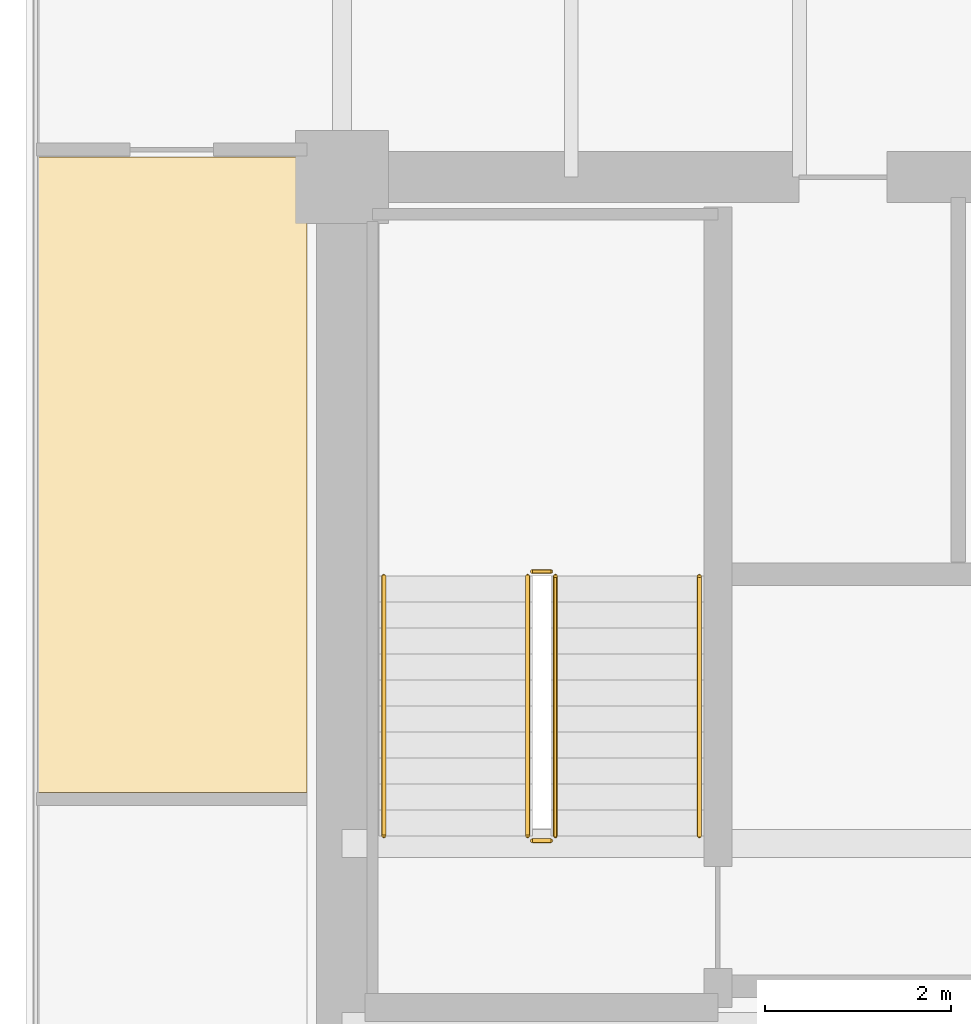
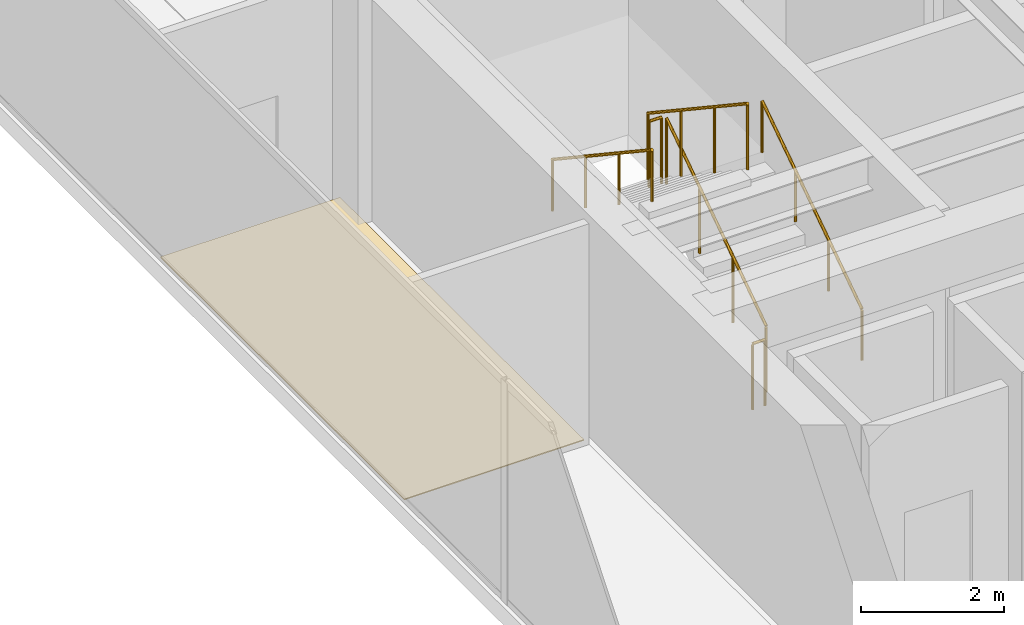
# One storey, part 33 of 35: 6 railings, 1 covering.
"""IFC4 building model written with IfcOpenShell, lengths in metres."""

import ifcopenshell
import ifcopenshell.guid

model = None  # the IFC model being written
_history = None  # IfcOwnerHistory: only IFC2X3 demands one
_inside = {}  # id of a spatial element -> (the spatial element, [elements in it])
_under = {}  # id of a project, library or spatial element -> (it, [spatial elements below it])
_declared = {}  # id of a project -> (the project, [libraries it declares])
_typed = {}  # id of a type object -> (the type object, [elements of that type])
_made_of = {}  # id of a material, layer set ... -> (it, [elements and type objects made of it])


def new_model(schema):
    """Start an empty IFC model of exactly this schema.

    Asked for "IFC4X3", IfcOpenShell would pick the latest addendum, in which some entities
    have other attributes; the version numbers below select the first issue.
    IFC2X3 requires an IfcOwnerHistory on every rooted entity: one is made here for all.
    """
    global model, _history
    if schema == "IFC4X3":
        model = ifcopenshell.file(schema_version=(4, 3, 0, 0))
    else:
        model = ifcopenshell.file(schema=schema)
    _inside.clear()
    _under.clear()
    _declared.clear()
    _typed.clear()
    _made_of.clear()
    _history = None
    if model.schema == "IFC2X3":
        org = make("IfcOrganization", Name="unknown")
        user = make(
            "IfcPersonAndOrganization",
            ThePerson=make("IfcPerson", FamilyName="unknown"),
            TheOrganization=org,
        )
        app = make(
            "IfcApplication",
            ApplicationDeveloper=org,
            Version="unknown",
            ApplicationFullName="unknown",
            ApplicationIdentifier="unknown",
        )
        _history = make(
            "IfcOwnerHistory",
            OwningUser=user,
            OwningApplication=app,
            ChangeAction="ADDED",
            CreationDate=0,
        )
    return model


def make(cls, **values):
    """One entity of the class cls with the attributes given. An attribute that is None is left unset."""
    return model.create_entity(
        cls, **{name: value for name, value in values.items() if value is not None}
    )


def rooted(cls, **values):
    """An entity with a GlobalId (a new one), such as an element, a storey or a relation."""
    return make(cls, GlobalId=ifcopenshell.guid.new(), OwnerHistory=_history, **values)


def si_unit(unit_type, name, prefix=None):
    """IfcSIUnit, for example si_unit("LENGTHUNIT", "METRE", prefix="MILLI")."""
    return make("IfcSIUnit", UnitType=unit_type, Prefix=prefix, Name=name)


def assignment(units):
    """IfcUnitAssignment: the units of a project."""
    return None if units is None else make("IfcUnitAssignment", Units=units)


def point(xyz):
    """IfcCartesianPoint."""
    return None if xyz is None else make("IfcCartesianPoint", Coordinates=xyz)


def direction(xyz):
    """IfcDirection."""
    return None if xyz is None else make("IfcDirection", DirectionRatios=xyz)


def frame(location, z_axis=None, x_axis=None):
    """IfcAxis2Placement3D, a coordinate frame: its origin and axes. An axis left out is left unset."""
    return make(
        "IfcAxis2Placement3D",
        Location=point(location),
        Axis=direction(z_axis),
        RefDirection=direction(x_axis),
    )


def frame_2d(location, x_axis=None):
    """IfcAxis2Placement2D, a coordinate frame in the plane: its origin and x axis."""
    return make(
        "IfcAxis2Placement2D", Location=point(location), RefDirection=direction(x_axis)
    )


def origin():
    """The frame at (0, 0, 0) with its axes left unset."""
    return frame((0.0, 0.0, 0.0))


def origin_2d():
    """The frame at (0, 0) in the plane with its x axis left unset."""
    return frame_2d((0.0, 0.0))


def place(relative_to, where):
    """IfcLocalPlacement: puts the frame where relative to a parent placement (None: the world)."""
    return make(
        "IfcLocalPlacement", PlacementRelTo=relative_to, RelativePlacement=where
    )


def context(
    kind, dimensions, precision=None, world=None, true_north=None, identifier=None
):
    """IfcGeometricRepresentationContext, for example the 3D "Model" context."""
    return make(
        "IfcGeometricRepresentationContext",
        ContextIdentifier=identifier,
        ContextType=kind,
        CoordinateSpaceDimension=dimensions,
        Precision=precision,
        WorldCoordinateSystem=world,
        TrueNorth=true_north,
    )


def subcontext(parent, identifier, kind, view, scale=None):
    """IfcGeometricRepresentationSubContext, for example "Body" below "Model"."""
    return make(
        "IfcGeometricRepresentationSubContext",
        ContextIdentifier=identifier,
        ContextType=kind,
        ParentContext=parent,
        TargetScale=scale,
        TargetView=view,
    )


def project(units=None, contexts=None):
    """IfcProject with its units and contexts."""
    return rooted(
        "IfcProject",
        Name="project",
        RepresentationContexts=contexts,
        UnitsInContext=assignment(units),
    )


def spatial(cls, under=None, at=None, **own):
    """A site, building, storey or space (cls), placed at a placement, below another one or the project."""
    s = rooted(cls, ObjectPlacement=at, **own)
    if under is not None:
        _under.setdefault(under.id(), (under, []))[1].append(s)
    return s


def polyline(points):
    """IfcPolyline through the points."""
    return make("IfcPolyline", Points=[point(p) for p in points])


def profile(cls, at=None, kind="AREA", **sizes):
    """A parametric profile (cls). Its sizes go by their IFC names, for example OverallWidth=200.0."""
    return make(cls, ProfileType=kind, Position=at, **sizes)


def circle(**sizes):
    """IfcCircleProfileDef."""
    return profile("IfcCircleProfileDef", **sizes)


def outline(outer, holes=None, kind="AREA"):
    """IfcArbitraryClosedProfileDef: a profile drawn as a closed curve; with holes, ...WithVoids."""
    if holes is None:
        return make("IfcArbitraryClosedProfileDef", ProfileType=kind, OuterCurve=outer)
    return make(
        "IfcArbitraryProfileDefWithVoids",
        ProfileType=kind,
        OuterCurve=outer,
        InnerCurves=holes,
    )


def extrude(swept, where, along, depth):
    """IfcExtrudedAreaSolid: the profile swept, set in the frame where, extruded along a direction by depth."""
    return make(
        "IfcExtrudedAreaSolid",
        SweptArea=swept,
        Position=where,
        ExtrudedDirection=direction(along),
        Depth=depth,
    )


def shape(context_of_items, identifier, shape_type, items):
    """IfcShapeRepresentation: the items that make up one representation, for example the "Body"."""
    return make(
        "IfcShapeRepresentation",
        ContextOfItems=context_of_items,
        RepresentationIdentifier=identifier,
        RepresentationType=shape_type,
        Items=items,
    )


def source(mapping_origin, context_of_items, identifier, shape_type, items):
    """IfcRepresentationMap: a shape defined once, which mapped items show again and again."""
    return make(
        "IfcRepresentationMap",
        MappingOrigin=mapping_origin,
        MappedRepresentation=shape(context_of_items, identifier, shape_type, items),
    )


def transform(
    local_origin,
    x_axis=None,
    y_axis=None,
    z_axis=None,
    scale=None,
    scale2=None,
    scale3=None,
    uniform=True,
):
    """IfcCartesianTransformationOperator3D, or its non-uniform kind. x_axis, y_axis, z_axis: its Axis1, 2, 3."""
    if uniform:
        return make(
            "IfcCartesianTransformationOperator3D",
            Axis1=direction(x_axis),
            Axis2=direction(y_axis),
            LocalOrigin=point(local_origin),
            Scale=scale,
            Axis3=direction(z_axis),
        )
    return make(
        "IfcCartesianTransformationOperator3DnonUniform",
        Axis1=direction(x_axis),
        Axis2=direction(y_axis),
        LocalOrigin=point(local_origin),
        Scale=scale,
        Axis3=direction(z_axis),
        Scale2=scale2,
        Scale3=scale3,
    )


def mapped(mapping_source, mapping_target):
    """IfcMappedItem: shows the shape of a source again, moved by a transform."""
    return make(
        "IfcMappedItem", MappingSource=mapping_source, MappingTarget=mapping_target
    )


def material(Name=None, Category=None):
    """IfcMaterial."""
    return make("IfcMaterial", Name=Name, Category=Category)


def layer(
    of_material, thickness, ventilated=None, Name=None, Category=None, Priority=None
):
    """IfcMaterialLayer: one layer of a wall or slab, of a material (None: an air gap)."""
    return make(
        "IfcMaterialLayer",
        Material=of_material,
        LayerThickness=thickness,
        IsVentilated=ventilated,
        Name=Name,
        Category=Category,
        Priority=Priority,
    )


def layer_set(layers, Name=None):
    """IfcMaterialLayerSet."""
    return make("IfcMaterialLayerSet", MaterialLayers=layers, LayerSetName=Name)


def made_of(thing, what):
    """Note that an element or type object is made of a material, layer set ...; save() writes the relation."""
    if what is not None:
        _made_of.setdefault(what.id(), (what, []))[1].append(thing)
    return thing


def type_object(cls, material=None, **own):
    """A type object (cls), such as IfcWallType, which elements share."""
    return made_of(rooted(cls, **own), material)


def type_shapes(of_type, sources):
    """Give a type object the sources (RepresentationMaps) that its elements show as mapped items."""
    of_type.RepresentationMaps = sources


def element(
    cls,
    number,
    at=None,
    inside=None,
    cuts=None,
    type_object=None,
    material=None,
    context=None,
    identifier="Body",
    shape_type=None,
    held_by="IfcProductDefinitionShape",
    body=None,
    shapes=None,
    **own,
):
    """One element of the class cls, such as IfcWall. Its Tag is "e" and its number.

    at: its placement. inside: the storey or other place that contains it. cuts: it is an
    opening in that element (IfcRelVoidsElement). A single representation is given by context,
    identifier, shape_type and body (its items); several are given by shapes. held_by: the class
    of the entity that holds the representations. save() writes the other relations.
    """
    e = rooted(cls, Tag="e%d" % number, ObjectPlacement=at, **own)
    if body is not None:
        shapes = [shape(context, identifier, shape_type, body)]
    if shapes is not None:
        e.Representation = make(held_by, Representations=shapes)
    if inside is not None:
        _inside.setdefault(inside.id(), (inside, []))[1].append(e)
    if cuts is not None:
        rooted(
            "IfcRelVoidsElement", RelatingBuildingElement=cuts, RelatedOpeningElement=e
        )
    if type_object is not None:
        _typed.setdefault(type_object.id(), (type_object, []))[1].append(e)
    return made_of(e, material)


def aggregate(whole, parts):
    """IfcRelAggregates: a whole, such as a stair, and the parts it consists of."""
    return rooted("IfcRelAggregates", RelatingObject=whole, RelatedObjects=parts)


def save(model, path):
    """Write the relations noted so far, then the file.

    IfcRelAggregates (storeys below a building ...), IfcRelContainedInSpatialStructure (elements
    in a storey), IfcRelDefinesByType, IfcRelAssociatesMaterial and IfcRelDeclares: one each for
    every whole, place, type object, material and project.
    """
    for whole, parts in _under.values():
        aggregate(whole, parts)
    for where, things in _inside.values():
        rooted(
            "IfcRelContainedInSpatialStructure",
            RelatedElements=things,
            RelatingStructure=where,
        )
    for kind, things in _typed.values():
        rooted("IfcRelDefinesByType", RelatedObjects=things, RelatingType=kind)
    for what, things in _made_of.values():
        rooted("IfcRelAssociatesMaterial", RelatedObjects=things, RelatingMaterial=what)
    for by, libraries in _declared.values():
        rooted("IfcRelDeclares", RelatingContext=by, RelatedDefinitions=libraries)
    model.write(path)


model = new_model("IFC4")

# Units and contexts
model_context = context("Model", 3, precision=1e-05, world=origin(), true_north=direction((0.0, 1.0)))
body_context = subcontext(model_context, "Body", "Model", "MODEL_VIEW")
ifc_project = project(units=[si_unit("LENGTHUNIT", "METRE"), si_unit("AREAUNIT", "SQUARE_METRE"), si_unit("VOLUMEUNIT", "CUBIC_METRE"), si_unit("PLANEANGLEUNIT", "RADIAN"), si_unit("MASSUNIT", "GRAM", prefix="KILO")], contexts=[model_context])

# Site, building, storey
site_placement = place(None, origin())
site = spatial("IfcSite", under=ifc_project, at=site_placement, CompositionType="ELEMENT")
building_placement = place(site_placement, origin())
building = spatial("IfcBuilding", under=site, at=building_placement, Name="Haelvirn Gate Laboratories", CompositionType="ELEMENT")
storey_placement = place(building_placement, frame((0.0, 0.0, 226.0)))
storey = spatial("IfcBuildingStorey", under=building, at=storey_placement, Name="L54", CompositionType="ELEMENT", Elevation=226.0)

# Covering
ifc_material_1 = material(Name="Seamless chemical-resistant epoxy laboratory flooring")
ifc_layer = layer(ifc_material_1, 0.01806640625, Name="COV-FLR-RESIN")
ifc_layer_set = layer_set([ifc_layer], Name="Seamless chemical-resistant epoxy laboratory flooring")
covering_type = type_object("IfcCoveringType", Name="COV-FLR-RESIN", PredefinedType="FLOORING", material=ifc_layer_set)
covering_placement = place(storey_placement, origin())
element("IfcCovering", 1, at=covering_placement, inside=storey, type_object=covering_type, Name="L54 Seamless Laboratory Flooring FLR-SP-L54-WZ3-N", PredefinedType="FLOORING", context=body_context, shape_type="SweptSolid", body=[
    extrude(outline(polyline([(4.110107421875, 34.014892578125), (7.02001953125, 34.014892578125), (7.02001953125, 27.169921875), (4.110107421875, 27.169921875), (4.110107421875, 34.014892578125)])), origin(), (0.0, 0.0, 1.0), 0.01806640625),
])

# Railings
ifc_material_2 = material(Name="Galvanised steel SM355 & stainless top rail", Category="steel")
railing_type_1 = type_object("IfcRailingType", Name="RL-GUARD-1150", PredefinedType="GUARDRAIL", material=ifc_material_2)
shared_shape_1 = source(origin(), body_context, "Body", "SweptSolid", [
    extrude(circle(Radius=0.02392578125, at=origin_2d()), frame((0.0, 0.0, 1.1259765625), z_axis=(-1.0, 0.0, 0.0), x_axis=(0.0, -1.0, 0.0)), (0.0, 0.0, 1.0), 0.199951171875),
    extrude(circle(Radius=0.02099609375, at=origin_2d()), origin(), (0.0, 0.0, 1.0), 1.101806640625),
    extrude(circle(Radius=0.02099609375, at=origin_2d()), frame((-0.199951171875, 0.0, 0.0)), (0.0, 0.0, 1.0), 1.101806640625),
])
for number, where, name in (
    (2, (9.64990234375, 29.550048828125, 2.050048828125), "L54 ST1 stair guard 2"),
    (3, (9.64990234375, 26.64990234375, 0.0), "L54 ST1 stair guard 4"),
):
    element("IfcRailing", number, at=place(storey_placement, frame(where)), inside=storey, type_object=railing_type_1, Name=name, PredefinedType="GUARDRAIL", context=body_context, shape_type="MappedRepresentation", body=[
        mapped(shared_shape_1, transform((0.0, 0.0, 0.0), scale=1.0)),
    ])
shared_shape_2 = source(origin(), body_context, "Body", "SweptSolid", [
    extrude(circle(Radius=0.02392578125, at=origin_2d()), frame((0.0, 0.0, 1.1259765625), z_axis=(0.0, -0.832452072856, 0.554097055034), x_axis=(1.0, 0.0, 0.0)), (0.0, 0.0, 1.0), 3.363525390625),
    extrude(circle(Radius=0.02099609375, at=origin_2d()), origin(), (0.0, 0.0, 1.0), 1.101806640625),
    extrude(circle(Radius=0.02099609375, at=origin_2d()), frame((0.0, -0.933349609375, 0.621337890625)), (0.0, 0.0, 1.0), 1.101806640625),
    extrude(circle(Radius=0.02099609375, at=origin_2d()), frame((0.0, -1.86669921875, 1.242431640625)), (0.0, 0.0, 1.0), 1.101806640625),
    extrude(circle(Radius=0.02099609375, at=origin_2d()), frame((0.0, -2.800048828125, 1.86376953125)), (0.0, 0.0, 1.0), 1.101806640625),
])
railing_1_placement = place(storey_placement, frame((9.39990234375, 29.5, 2.236328125)))
element("IfcRailing", 4, at=railing_1_placement, inside=storey, type_object=railing_type_1, Name="L54 ST1 stair guard 3", PredefinedType="GUARDRAIL", context=body_context, shape_type="MappedRepresentation", body=[
    mapped(shared_shape_2, transform((0.0, 0.0, 0.0), scale=1.0)),
])
ifc_material_3 = material(Name="Brushed stainless steel 316L", Category="steel")
railing_type_2 = type_object("IfcRailingType", Name="RL-HAND-920", PredefinedType="HANDRAIL", material=ifc_material_3)
shared_shape_3 = source(origin(), body_context, "Body", "SweptSolid", [
    extrude(circle(Radius=0.02392578125, at=origin_2d()), frame((0.0, 0.0, 0.8759765625), z_axis=(0.0, -0.832452072856, 0.554097055034), x_axis=(1.0, 0.0, 0.0)), (0.0, 0.0, 1.0), 3.363525390625),
    extrude(circle(Radius=0.02099609375, at=origin_2d()), origin(), (0.0, 0.0, 1.0), 0.851806640625),
    extrude(circle(Radius=0.02099609375, at=origin_2d()), frame((0.0, -0.933349609375, 0.621337890625)), (0.0, 0.0, 1.0), 0.851806640625),
    extrude(circle(Radius=0.02099609375, at=origin_2d()), frame((0.0, -1.86669921875, 1.242431640625)), (0.0, 0.0, 1.0), 0.851806640625),
    extrude(circle(Radius=0.02099609375, at=origin_2d()), frame((0.0, -2.800048828125, 1.86376953125)), (0.0, 0.0, 1.0), 0.851806640625),
])
railing_2_placement = place(storey_placement, frame((7.85009765625, 29.5, 2.236328125)))
element("IfcRailing", 5, at=railing_2_placement, inside=storey, type_object=railing_type_2, Name="L54 ST1 stair handrail 2", PredefinedType="HANDRAIL", context=body_context, shape_type="MappedRepresentation", body=[
    mapped(shared_shape_3, transform((0.0, 0.0, 0.0), scale=1.0)),
])
shared_shape_4 = source(origin(), body_context, "Body", "SweptSolid", [
    extrude(circle(Radius=0.02392578125, at=origin_2d()), frame((0.0, 0.0, 1.1259765625), z_axis=(0.0, 0.832452072856, 0.554097055034), x_axis=(-1.0, 0.0, 0.0)), (0.0, 0.0, 1.0), 3.363525390625),
    extrude(circle(Radius=0.02099609375, at=origin_2d()), origin(), (0.0, 0.0, 1.0), 1.101806640625),
    extrude(circle(Radius=0.02099609375, at=origin_2d()), frame((0.0, 0.933349609375, 0.621337890625)), (0.0, 0.0, 1.0), 1.101806640625),
    extrude(circle(Radius=0.02099609375, at=origin_2d()), frame((0.0, 1.86669921875, 1.242431640625)), (0.0, 0.0, 1.0), 1.101806640625),
    extrude(circle(Radius=0.02099609375, at=origin_2d()), frame((0.0, 2.800048828125, 1.86376953125)), (0.0, 0.0, 1.0), 1.101806640625),
])
type_shapes(railing_type_1, [shared_shape_1, shared_shape_2, shared_shape_4])
railing_3_placement = place(storey_placement, frame((9.699951171875, 26.699951171875, 0.186279296875)))
element("IfcRailing", 6, at=railing_3_placement, inside=storey, type_object=railing_type_1, Name="L54 ST1 stair guard 1", PredefinedType="GUARDRAIL", context=body_context, shape_type="MappedRepresentation", body=[
    mapped(shared_shape_4, transform((0.0, 0.0, 0.0), scale=1.0)),
])
shared_shape_5 = source(origin(), body_context, "Body", "SweptSolid", [
    extrude(circle(Radius=0.02392578125, at=origin_2d()), frame((0.0, 0.0, 0.8759765625), z_axis=(0.0, 0.832452072856, 0.554097055034), x_axis=(-1.0, 0.0, 0.0)), (0.0, 0.0, 1.0), 3.363525390625),
    extrude(circle(Radius=0.02099609375, at=origin_2d()), origin(), (0.0, 0.0, 1.0), 0.851806640625),
    extrude(circle(Radius=0.02099609375, at=origin_2d()), frame((0.0, 0.933349609375, 0.621337890625)), (0.0, 0.0, 1.0), 0.851806640625),
    extrude(circle(Radius=0.02099609375, at=origin_2d()), frame((0.0, 1.86669921875, 1.242431640625)), (0.0, 0.0, 1.0), 0.851806640625),
    extrude(circle(Radius=0.02099609375, at=origin_2d()), frame((0.0, 2.800048828125, 1.86376953125)), (0.0, 0.0, 1.0), 0.851806640625),
])
type_shapes(railing_type_2, [shared_shape_3, shared_shape_5])
railing_4_placement = place(storey_placement, frame((11.25, 26.699951171875, 0.186279296875)))
element("IfcRailing", 7, at=railing_4_placement, inside=storey, type_object=railing_type_2, Name="L54 ST1 stair handrail 1", PredefinedType="HANDRAIL", context=body_context, shape_type="MappedRepresentation", body=[
    mapped(shared_shape_5, transform((0.0, 0.0, 0.0), scale=1.0)),
])

save(model, "model.ifc")
